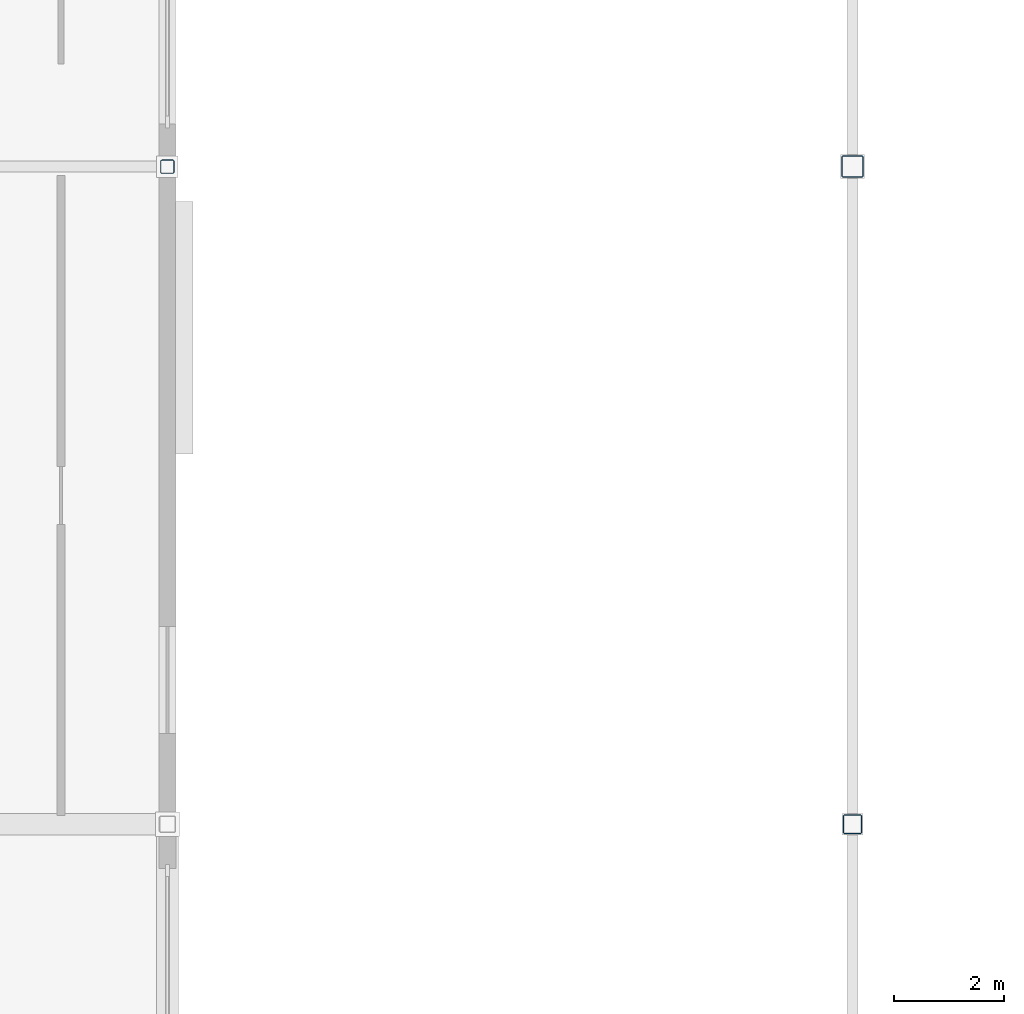
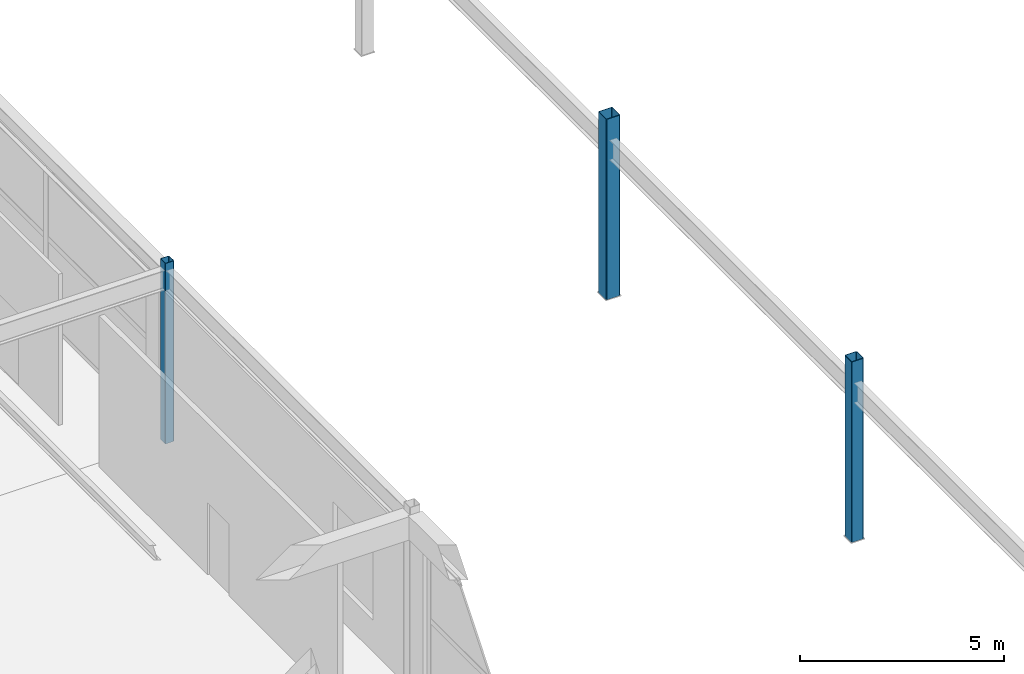
# One storey, part 8 of 105: 3 columns.
"""IFC4 building model written with IfcOpenShell, lengths in metres."""

from ifc_helpers import new_model, si_unit, direction, frame, origin, origin_2d, place, context, subcontext, project, spatial, hollow_rectangle, extrude, material, material_profile, profile_set, type_object, element, save


model = new_model("IFC4")

# Units and contexts
model_context = context("Model", 3, precision=1e-05, world=origin(), true_north=direction((0.0, 1.0)))
body_context = subcontext(model_context, "Body", "Model", "MODEL_VIEW")
ifc_project = project(units=[si_unit("LENGTHUNIT", "METRE"), si_unit("AREAUNIT", "SQUARE_METRE"), si_unit("VOLUMEUNIT", "CUBIC_METRE"), si_unit("PLANEANGLEUNIT", "RADIAN"), si_unit("MASSUNIT", "GRAM", prefix="KILO")], contexts=[model_context])

# Site, building, storey
site_placement = place(None, origin())
site = spatial("IfcSite", under=ifc_project, at=site_placement, CompositionType="ELEMENT")
building_placement = place(site_placement, origin())
building = spatial("IfcBuilding", under=site, at=building_placement, Name="Kazenohara Klinker Stadium", CompositionType="ELEMENT")
storey_placement = place(building_placement, frame((0.0, 0.0, 20.39990234375)))
storey = spatial("IfcBuildingStorey", under=building, at=storey_placement, Name="L04", CompositionType="ELEMENT", Elevation=20.39990234375)

# Columns
ifc_material = material(Name="Steel S355", Category="steel")
ifc_material_profile_1 = material_profile(ifc_material, hollow_rectangle(XDim=0.39990234375, YDim=0.39990234375, WallThickness=0.01611328125, InnerFilletRadius=0.01611328125, OuterFilletRadius=0.031982421875, at=origin_2d()), Name="SHS-400x400x16")
ifc_profile_set_1 = profile_set([ifc_material_profile_1], Name="Steel S355")
column_type_1 = type_object("IfcColumnType", Name="COL-ST01", PredefinedType="COLUMN", material=ifc_profile_set_1)
column_1_placement = place(storey_placement, frame((49.0, 96.0, 0.0), z_axis=(0.0, 0.0, 1.0), x_axis=(1.0, 0.0, 0.0)))
element("IfcColumn", 1, at=column_1_placement, inside=storey, type_object=column_type_1, Name="Canopy ring support column SC01 L04 5/J", PredefinedType="COLUMN", context=body_context, shape_type="SweptSolid", body=[
    extrude(hollow_rectangle(XDim=0.39990234375, YDim=0.39990234375, WallThickness=0.01611328125, InnerFilletRadius=0.01611328125, OuterFilletRadius=0.031982421875, at=origin_2d()), origin(), (0.0, 0.0, 1.0), 5.400146484375),
])
ifc_material_profile_2 = material_profile(ifc_material, hollow_rectangle(XDim=0.35009765625, YDim=0.35009765625, WallThickness=0.01611328125, InnerFilletRadius=0.01611328125, OuterFilletRadius=0.031982421875, at=origin_2d()), Name="SHS-350x350x16")
ifc_profile_set_2 = profile_set([ifc_material_profile_2], Name="Steel S355")
column_type_2 = type_object("IfcColumnType", Name="COL-ST02", PredefinedType="COLUMN", material=ifc_profile_set_2)
column_2_placement = place(storey_placement, frame((49.0, 84.0, 0.0), z_axis=(0.0, 0.0, 1.0), x_axis=(1.0, 0.0, 0.0)))
element("IfcColumn", 2, at=column_2_placement, inside=storey, type_object=column_type_2, Name="Canopy ring support column SC02 L04 5/H", PredefinedType="COLUMN", context=body_context, shape_type="SweptSolid", body=[
    extrude(hollow_rectangle(XDim=0.35009765625, YDim=0.35009765625, WallThickness=0.01611328125, InnerFilletRadius=0.01611328125, OuterFilletRadius=0.031982421875, at=origin_2d()), origin(), (0.0, 0.0, 1.0), 5.400146484375),
])
ifc_material_profile_3 = material_profile(ifc_material, hollow_rectangle(XDim=0.25, YDim=0.25, WallThickness=0.011962890625, InnerFilletRadius=0.011962890625, OuterFilletRadius=0.02392578125, at=origin_2d()), Name="SHS-250x250x12")
ifc_profile_set_3 = profile_set([ifc_material_profile_3], Name="Steel S355")
column_type_3 = type_object("IfcColumnType", Name="COL-ST04", PredefinedType="COLUMN", material=ifc_profile_set_3)
column_3_placement = place(storey_placement, frame((36.5, 96.0, 0.0), z_axis=(0.0, 0.0, 1.0), x_axis=(1.0, 0.0, 0.0)))
element("IfcColumn", 3, at=column_3_placement, inside=storey, type_object=column_type_3, Name="Column SC04 L04 4/J", PredefinedType="COLUMN", context=body_context, shape_type="SweptSolid", body=[
    extrude(hollow_rectangle(XDim=0.25, YDim=0.25, WallThickness=0.011962890625, InnerFilletRadius=0.011962890625, OuterFilletRadius=0.02392578125, at=origin_2d()), origin(), (0.0, 0.0, 1.0), 5.400146484375),
])

save(model, "model.ifc")
